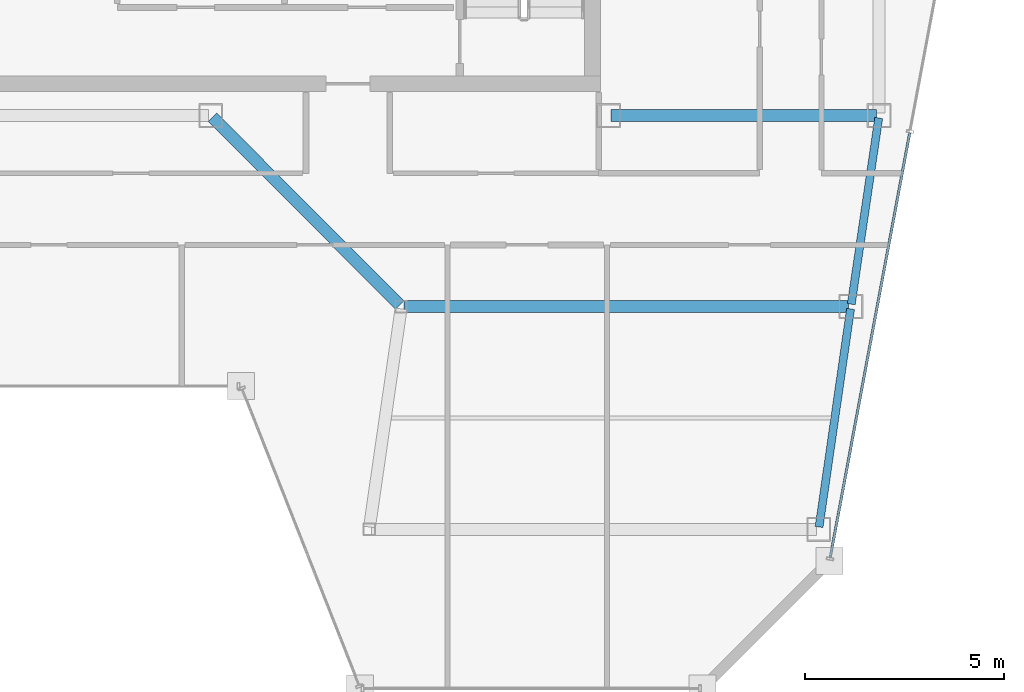
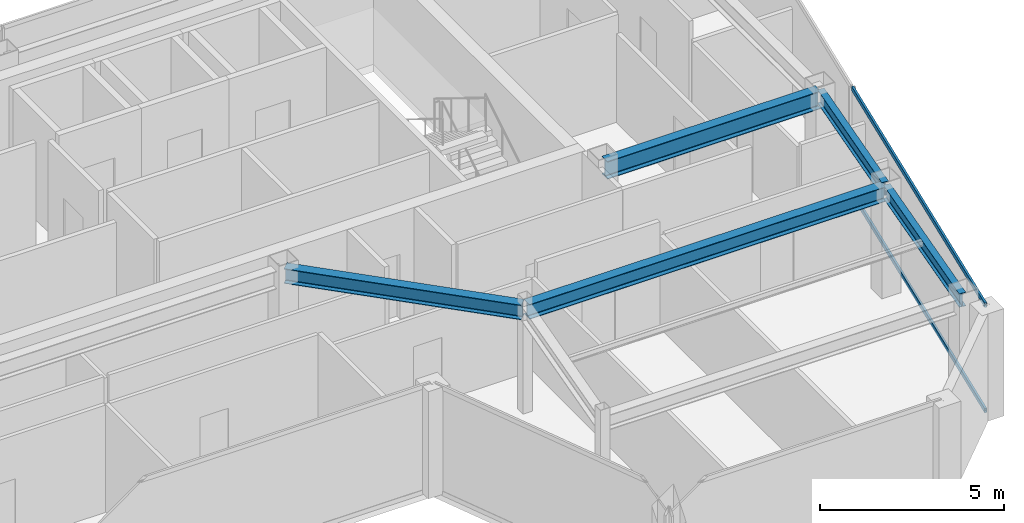
# One storey, part 13 of 23: 5 beams, 2 members, 1 element without a shape of its own.
"""IFC4 building model written with IfcOpenShell, lengths in metres."""

from ifc_helpers import new_model, si_unit, direction, frame, origin, origin_2d, place, context, subcontext, project, spatial, hollow_rectangle, i_section, extrude, material, material_profile, profile_set, type_object, element, aggregate, save


model = new_model("IFC4")

# Units and contexts
model_context = context("Model", 3, precision=1e-05, world=origin(), true_north=direction((0.0, 1.0)))
body_context = subcontext(model_context, "Body", "Model", "MODEL_VIEW")
ifc_project = project(units=[si_unit("LENGTHUNIT", "METRE"), si_unit("AREAUNIT", "SQUARE_METRE"), si_unit("VOLUMEUNIT", "CUBIC_METRE"), si_unit("PLANEANGLEUNIT", "RADIAN"), si_unit("MASSUNIT", "GRAM", prefix="KILO")], contexts=[model_context])

# Site, building, storey
site_placement = place(None, origin())
site = spatial("IfcSite", under=ifc_project, at=site_placement, CompositionType="ELEMENT")
building_placement = place(site_placement, origin())
building = spatial("IfcBuilding", under=site, at=building_placement, Name="Saevonmaru Cultural Tower", CompositionType="ELEMENT")
storey_placement = place(building_placement, frame((0.0, 0.0, 283.800048828125)))
storey = spatial("IfcBuildingStorey", under=building, at=storey_placement, Name="L67", CompositionType="ELEMENT", Elevation=283.800048828125)

# Beams
ifc_material_1 = material(Name="Steel SM355", Category="steel")
ifc_material_profile_1 = material_profile(ifc_material_1, i_section(OverallWidth=0.300048828125, OverallDepth=0.488037109375, WebThickness=0.010986328125, FlangeThickness=0.01806640625, FilletRadius=0.02197265625, at=origin_2d()), Name="H-488x300x11x18")
ifc_profile_set_1 = profile_set([ifc_material_profile_1], Name="Steel SM355")
beam_type_1 = type_object("IfcBeamType", Name="BM-G-H488", PredefinedType="BEAM", material=ifc_profile_set_1)
beam_1_placement = place(storey_placement, frame((41.149658203125, 37.642578125, 3.305908203125), z_axis=(-0.706538566564, 0.707674539572, 0.0), x_axis=(-0.707674539572, -0.706538566564, 0.0)))
element("IfcBeam", 1, at=beam_1_placement, inside=storey, type_object=beam_type_1, Name="L67 East Atrium Girder 2", PredefinedType="BEAM", context=body_context, shape_type="SweptSolid", body=[
    extrude(i_section(OverallWidth=0.300048828125, OverallDepth=0.488037109375, WebThickness=0.010986328125, FlangeThickness=0.01806640625, FilletRadius=0.02197265625, at=origin_2d()), origin(), (0.0, 0.0, 1.0), 6.662353515625),
])
beam_2_placement = place(storey_placement, frame((41.251953125, 37.60009765625, 3.305908203125), z_axis=(1.0, 0.0, 0.0), x_axis=(0.0, 1.0, 0.0)))
element("IfcBeam", 2, at=beam_2_placement, inside=storey, type_object=beam_type_1, Name="L67 East Wing Transverse Girder 2", PredefinedType="BEAM", context=body_context, shape_type="SweptSolid", body=[
    extrude(i_section(OverallWidth=0.300048828125, OverallDepth=0.488037109375, WebThickness=0.010986328125, FlangeThickness=0.01806640625, FilletRadius=0.02197265625, at=origin_2d()), origin(), (0.0, 0.0, 1.0), 11.179931640625),
])
ifc_material_profile_2 = material_profile(ifc_material_1, i_section(OverallWidth=0.300048828125, OverallDepth=0.587890625, WebThickness=0.011962890625, FlangeThickness=0.02001953125, FilletRadius=0.02392578125, at=origin_2d()), Name="H-588x300x12x20")
ifc_profile_set_2 = profile_set([ifc_material_profile_2], Name="Steel SM355")
beam_type_2 = type_object("IfcBeamType", Name="BM-G-H588", PredefinedType="BEAM", material=ifc_profile_set_2)
beam_3_placement = place(storey_placement, frame((46.4599609375, 42.39990234375, 3.255859375), z_axis=(1.0, 0.0, 0.0), x_axis=(0.0, 1.0, 0.0)))
element("IfcBeam", 3, at=beam_3_placement, inside=storey, type_object=beam_type_2, Name="L67 Core South Girder 5", PredefinedType="BEAM", context=body_context, shape_type="SweptSolid", body=[
    extrude(i_section(OverallWidth=0.300048828125, OverallDepth=0.587890625, WebThickness=0.011962890625, FlangeThickness=0.02001953125, FilletRadius=0.02392578125, at=origin_2d()), origin(), (0.0, 0.0, 1.0), 6.679931640625),
])
ifc_material_profile_3 = material_profile(ifc_material_1, i_section(OverallWidth=0.199951171875, OverallDepth=0.449951171875, WebThickness=0.009033203125, FlangeThickness=0.013916015625, FilletRadius=0.01806640625, at=origin_2d()), Name="H-450x200x9x14")
ifc_profile_set_3 = profile_set([ifc_material_profile_3], Name="Steel SM355")
beam_type_3 = type_object("IfcBeamType", Name="BM-SP-H450", PredefinedType="SPANDREL", material=ifc_profile_set_3)
beam_4_placement = place(storey_placement, frame((51.691650390625, 32.059326171875, 3.324951171875), z_axis=(0.142964121327, 0.989727871697, 0.0), x_axis=(-0.989727871697, 0.142964121327, 0.0)))
element("IfcBeam", 4, at=beam_4_placement, inside=storey, type_object=beam_type_3, Name="L67 East Splayed Spandrel 1", PredefinedType="SPANDREL", context=body_context, shape_type="SweptSolid", body=[
    extrude(i_section(OverallWidth=0.199951171875, OverallDepth=0.449951171875, WebThickness=0.009033203125, FlangeThickness=0.013916015625, FilletRadius=0.01806640625, at=origin_2d()), origin(), (0.0, 0.0, 1.0), 5.5380859375),
])
beam_5_placement = place(storey_placement, frame((52.500732421875, 37.659423828125, 3.324951171875), z_axis=(0.145912860028, 0.989297446312, 0.0), x_axis=(-0.989297446312, 0.145912860028, 0.0)))
element("IfcBeam", 5, at=beam_5_placement, inside=storey, type_object=beam_type_3, Name="L67 East Splayed Spandrel 2", PredefinedType="SPANDREL", context=body_context, shape_type="SweptSolid", body=[
    extrude(i_section(OverallWidth=0.199951171875, OverallDepth=0.449951171875, WebThickness=0.009033203125, FlangeThickness=0.013916015625, FilletRadius=0.01806640625, at=origin_2d()), origin(), (0.0, 0.0, 1.0), 4.731689453125),
])

# Curtain wall, members
ifc_material_2 = material(Name="Satin Bronze Anodised Aluminium", Category="aluminium")
curtain_wall_type = type_object("IfcCurtainWallType", Name="CW-TYP-B", PredefinedType="NOTDEFINED", material=ifc_material_2)
curtain_wall_placement = place(storey_placement, origin())
curtain_wall = element("IfcCurtainWall", 6, at=curtain_wall_placement, inside=storey, type_object=curtain_wall_type, Name="L67 Unitised Curtain Wall E8", PredefinedType="NOTDEFINED")
ifc_material_profile_4 = material_profile(ifc_material_2, hollow_rectangle(XDim=0.06494140625, YDim=0.14990234375, WallThickness=0.00390625, at=origin_2d()), Name="ALU-TRAN-150x65x4")
ifc_profile_set_4 = profile_set([ifc_material_profile_4], Name="Satin Bronze Anodised Aluminium")
member_type = type_object("IfcMemberType", Name="TR-CW-150x65", PredefinedType="USERDEFINED", material=ifc_profile_set_4)
member_1_placement = place(storey_placement, frame((51.97265625, 31.291015625, 0.032470703125), z_axis=(0.184051053742, 0.982916684982, 0.0), x_axis=(-0.982916684982, 0.184051053742, 0.0)))
member_1 = element("IfcMember", 7, at=member_1_placement, type_object=member_type, Name="CW-TW-L67-E8 transom 1.1", ObjectType="TRANSOM", PredefinedType="USERDEFINED", context=body_context, shape_type="SweptSolid", body=[
    extrude(hollow_rectangle(XDim=0.06494140625, YDim=0.14990234375, WallThickness=0.00390625, at=origin_2d()), origin(), (0.0, 0.0, 1.0), 10.862548828125),
])
member_2_placement = place(storey_placement, frame((51.97265625, 31.291015625, 3.517333984375), z_axis=(0.184051053742, 0.982916684982, 0.0), x_axis=(-0.982916684982, 0.184051053742, 0.0)))
member_2 = element("IfcMember", 8, at=member_2_placement, type_object=member_type, Name="CW-TW-L67-E8 transom 1.2", ObjectType="TRANSOM", PredefinedType="USERDEFINED", context=body_context, shape_type="SweptSolid", body=[
    extrude(hollow_rectangle(XDim=0.06494140625, YDim=0.14990234375, WallThickness=0.00390625, at=origin_2d()), origin(), (0.0, 0.0, 1.0), 10.862548828125),
])
aggregate(curtain_wall, [member_1, member_2])

save(model, "model.ifc")
